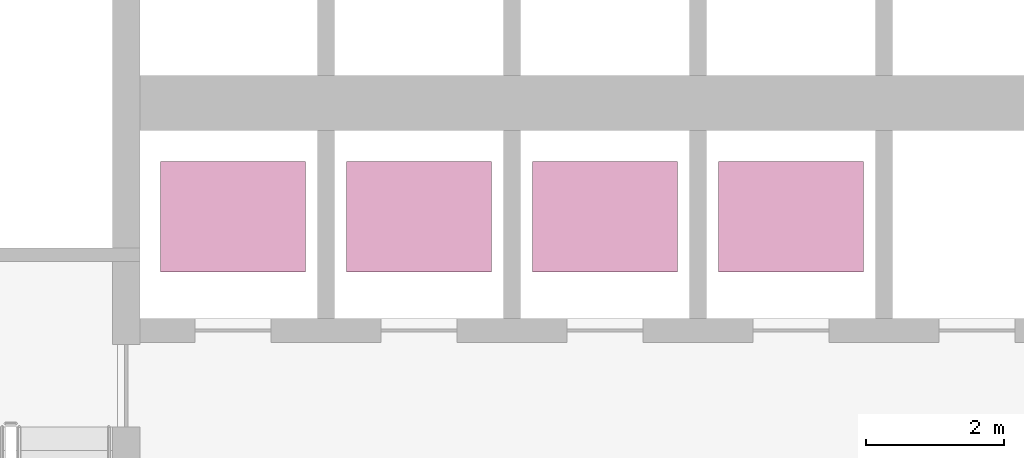
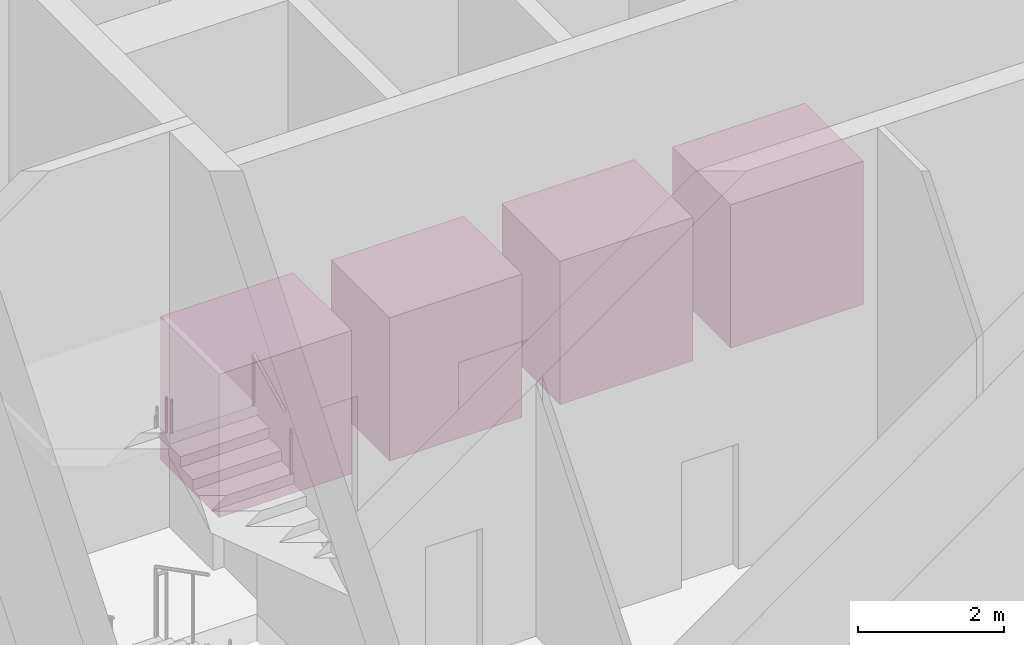
# One storey, part 20 of 20: 4 transport elements.
"""IFC4 building model written with IfcOpenShell, lengths in metres."""

from ifc_helpers import new_model, si_unit, direction, frame, origin, origin_2d, place, context, subcontext, project, spatial, rectangle, extrude, material, type_object, element, save


model = new_model("IFC4")

# Units and contexts
model_context = context("Model", 3, precision=1e-05, world=origin(), true_north=direction((0.0, 1.0)))
body_context = subcontext(model_context, "Body", "Model", "MODEL_VIEW")
ifc_project = project(units=[si_unit("LENGTHUNIT", "METRE"), si_unit("AREAUNIT", "SQUARE_METRE"), si_unit("VOLUMEUNIT", "CUBIC_METRE"), si_unit("PLANEANGLEUNIT", "RADIAN"), si_unit("MASSUNIT", "GRAM", prefix="KILO")], contexts=[model_context])

# Site, building, storey
site_placement = place(None, origin())
site = spatial("IfcSite", under=ifc_project, at=site_placement, CompositionType="ELEMENT")
building_placement = place(site_placement, origin())
building = spatial("IfcBuilding", under=site, at=building_placement, Name="Dongbaek Canopy Tower", CompositionType="ELEMENT")
storey_placement = place(building_placement, frame((0.0, 0.0, 151.60009765625)))
storey = spatial("IfcBuildingStorey", under=building, at=storey_placement, Name="L33", CompositionType="ELEMENT", Elevation=151.60009765625)

# Transport elements
ifc_material = material(Name="Stainless steel", Category="steel")
transport_element_type = type_object("IfcTransportElementType", Name="Lift car", PredefinedType="ELEVATOR", material=ifc_material)
for number, where, z_axis, x_axis, name in (
    (1, (-8.10009765625, -1.64990234375, 0.0), (0.0, 0.0, 1.0), (1.0, 0.0, 0.0), "Lift MR1"),
    (2, (-5.39990234375, -1.64990234375, 0.0), (0.0, 0.0, 1.0), (1.0, 0.0, 0.0), "Lift MR2"),
    (3, (-2.699951171875, -1.64990234375, 0.0), (0.0, 0.0, 1.0), (1.0, 0.0, 0.0), "Lift MR3"),
    (4, (0.0, -1.64990234375, 0.0), (0.0, 0.0, 1.0), (1.0, 0.0, 0.0), "Lift MR4"),
):
    element("IfcTransportElement", number, at=place(storey_placement, frame(where, z_axis=z_axis, x_axis=x_axis)), inside=storey, type_object=transport_element_type, Name=name, PredefinedType="ELEVATOR", context=body_context, shape_type="SweptSolid", body=[
        extrude(rectangle(XDim=2.10009765625, YDim=1.60009765625, at=origin_2d()), origin(), (0.0, 0.0, 1.0), 2.39990234375),
    ])

save(model, "model.ifc")
